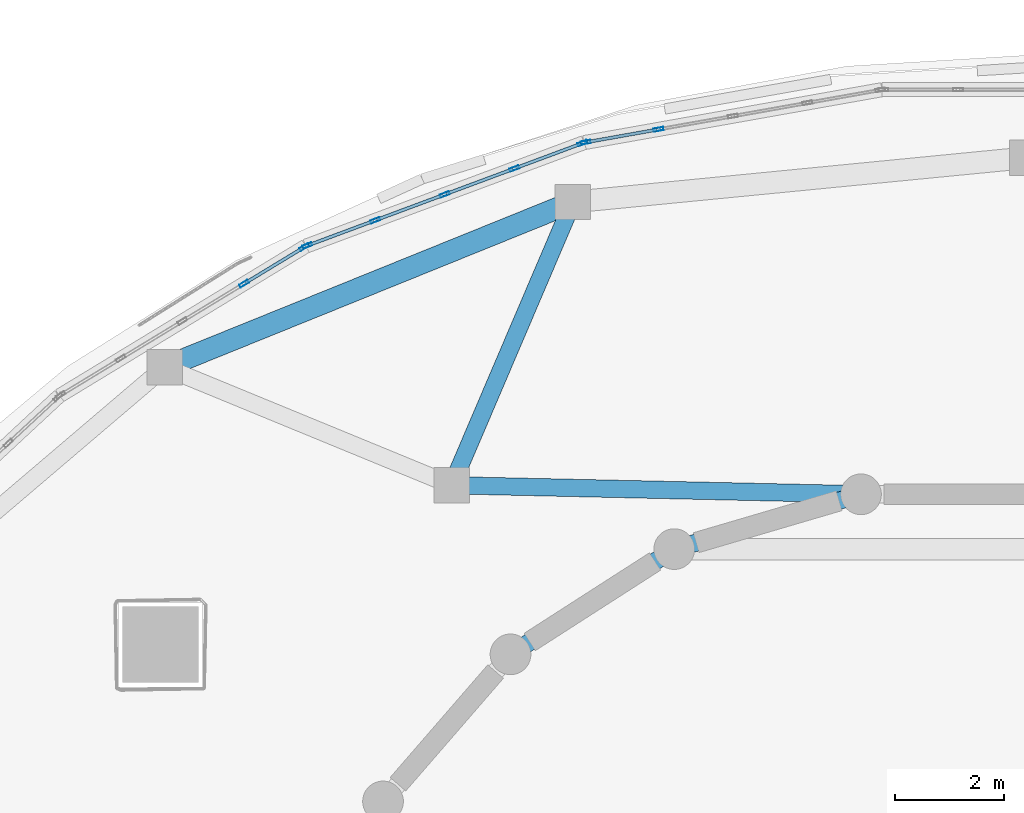
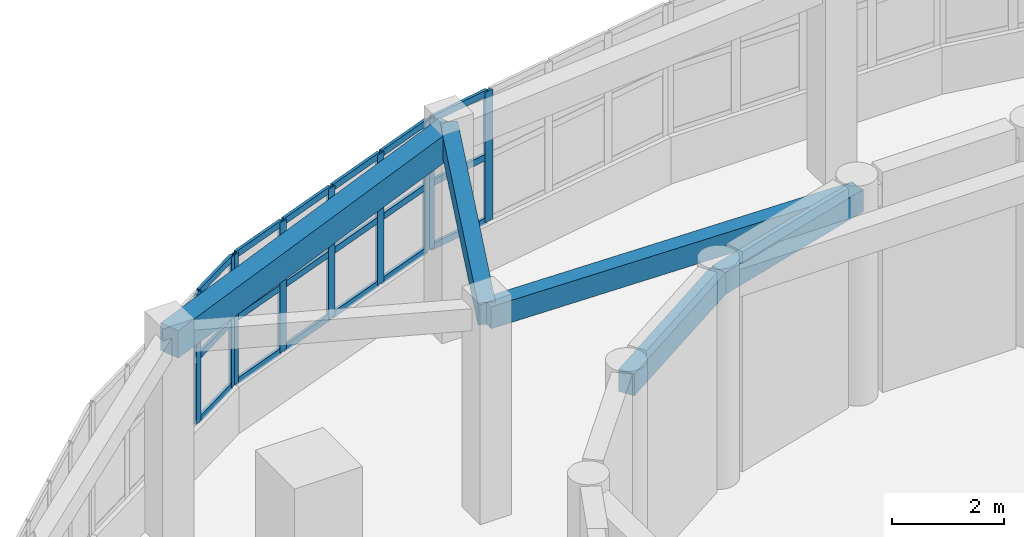
# One storey, part 58 of 105: 27 members, 5 beams, 3 elements without a shape of their own.
"""IFC4 building model written with IfcOpenShell, lengths in metres."""

from ifc_helpers import new_model, si_unit, direction, frame, origin, origin_2d, place, context, subcontext, project, spatial, rectangle, hollow_rectangle, extrude, material, layer, layer_set, material_profile, profile_set, type_object, element, aggregate, save


model = new_model("IFC4")

# Units and contexts
model_context = context("Model", 3, precision=1e-05, world=origin(), true_north=direction((0.0, 1.0)))
body_context = subcontext(model_context, "Body", "Model", "MODEL_VIEW")
ifc_project = project(units=[si_unit("LENGTHUNIT", "METRE"), si_unit("AREAUNIT", "SQUARE_METRE"), si_unit("VOLUMEUNIT", "CUBIC_METRE"), si_unit("PLANEANGLEUNIT", "RADIAN"), si_unit("MASSUNIT", "GRAM", prefix="KILO")], contexts=[model_context])

# Site, building, storey
site_placement = place(None, origin())
site = spatial("IfcSite", under=ifc_project, at=site_placement, CompositionType="ELEMENT")
building_placement = place(site_placement, origin())
building = spatial("IfcBuilding", under=site, at=building_placement, Name="Pelvatis Terrace Science Centre", CompositionType="ELEMENT")
storey_placement = place(building_placement, frame((0.0, 0.0, 10.199951171875)))
storey = spatial("IfcBuildingStorey", under=building, at=storey_placement, Name="L02", CompositionType="ELEMENT", Elevation=10.199951171875)

# Beams
ifc_material_1 = material(Name="Concrete C35/45", Category="concrete")
ifc_material_profile_1 = material_profile(ifc_material_1, rectangle(XDim=0.320068359375, YDim=0.47998046875, at=origin_2d()), Name="RC-BM 320x480")
ifc_profile_set_1 = profile_set([ifc_material_profile_1], Name="Concrete C35/45")
beam_type_1 = type_object("IfcBeamType", Name="BM-RC-320x480", PredefinedType="BEAM", material=ifc_profile_set_1)
beam_1_placement = place(storey_placement, frame((107.40673828125, 98.271728515625, 4.300048828125), z_axis=(-0.959499815423, -0.281709254734, 0.0), x_axis=(0.281709254734, -0.959499815423, 0.0)))
element("IfcBeam", 1, at=beam_1_placement, inside=storey, type_object=beam_type_1, Name="Beam BM-L02-2855", PredefinedType="BEAM", context=body_context, shape_type="SweptSolid", body=[
    extrude(rectangle(XDim=0.320068359375, YDim=0.47998046875, at=origin_2d()), origin(), (0.0, 0.0, 1.0), 3.586181640625),
])
beam_2_placement = place(storey_placement, frame((107.40673828125, 98.271728515625, 4.300048828125), z_axis=(-0.999756283601, 0.022076535063, 0.0), x_axis=(-0.022076535063, -0.999756283601, 0.0)))
element("IfcBeam", 2, at=beam_2_placement, inside=storey, type_object=beam_type_1, Name="Beam BM-L02-2856", PredefinedType="BEAM", context=body_context, shape_type="SweptSolid", body=[
    extrude(rectangle(XDim=0.320068359375, YDim=0.47998046875, at=origin_2d()), origin(), (0.0, 0.0, 1.0), 7.542236328125),
])
beam_3_placement = place(storey_placement, frame((103.9658203125, 97.261474609375, 4.300048828125), z_axis=(-0.841253667692, -0.540640607607, 0.0), x_axis=(0.540640607607, -0.841253667692, 0.0)))
element("IfcBeam", 3, at=beam_3_placement, inside=storey, type_object=beam_type_1, Name="Beam BM-L02-2857", PredefinedType="BEAM", context=body_context, shape_type="SweptSolid", body=[
    extrude(rectangle(XDim=0.320068359375, YDim=0.47998046875, at=origin_2d()), origin(), (0.0, 0.0, 1.0), 3.58642578125),
])
beam_4_placement = place(storey_placement, frame((102.095458984375, 103.65673828125, 4.300048828125), z_axis=(-0.392802627851, -0.919622800692, 0.0), x_axis=(0.919622800692, -0.392802627851, 0.0)))
element("IfcBeam", 4, at=beam_4_placement, inside=storey, type_object=beam_type_1, Name="Beam BM-L02-2904", PredefinedType="BEAM", context=body_context, shape_type="SweptSolid", body=[
    extrude(rectangle(XDim=0.320068359375, YDim=0.47998046875, at=origin_2d()), origin(), (0.0, 0.0, 1.0), 5.674560546875),
])
ifc_material_2 = material(Name="Concrete C35/45", Category="concrete")
ifc_material_profile_2 = material_profile(ifc_material_2, rectangle(XDim=0.39990234375, YDim=0.60009765625, at=origin_2d()), Name="RC-BM 400x600")
ifc_profile_set_2 = profile_set([ifc_material_profile_2], Name="Concrete C35/45")
beam_type_2 = type_object("IfcBeamType", Name="BM-RC-400x600", PredefinedType="BEAM", material=ifc_profile_set_2)
beam_5_placement = place(storey_placement, frame((102.095458984375, 103.65673828125, 4.239990234375), z_axis=(-0.926974722929, -0.375123796967, 0.0), x_axis=(0.375123796967, -0.926974722929, 0.0)))
element("IfcBeam", 5, at=beam_5_placement, inside=storey, type_object=beam_type_2, Name="Beam BM-L02-2903", PredefinedType="BEAM", context=body_context, shape_type="SweptSolid", body=[
    extrude(rectangle(XDim=0.39990234375, YDim=0.60009765625, at=origin_2d()), origin(), (0.0, 0.0, 1.0), 8.11181640625),
])

# Curtain wall, members
ifc_material_3 = material(Name="Bronze-anodised aluminium and laminated glass", Category="aluminium")
ifc_layer = layer(ifc_material_3, 0.179931640625)
ifc_layer_set = layer_set([ifc_layer], Name="Bronze-anodised aluminium and laminated glass")
curtain_wall_type = type_object("IfcCurtainWallType", Name="CW-RIBBON-A", PredefinedType="NOTDEFINED", material=ifc_layer_set)
curtain_wall_1_placement = place(storey_placement, origin())
curtain_wall_1 = element("IfcCurtainWall", 6, at=curtain_wall_1_placement, inside=storey, type_object=curtain_wall_type, Name="Ribbon curtain wall CW-162 (L02)", PredefinedType="NOTDEFINED")
ifc_material_4 = material(Name="Bronze-anodised aluminium 6063-T6", Category="aluminium")
ifc_material_profile_3 = material_profile(ifc_material_4, hollow_rectangle(XDim=0.06005859375, YDim=0.179931640625, WallThickness=0.00390625, at=origin_2d()), Name="ALU-MUL 60x180")
ifc_profile_set_3 = profile_set([ifc_material_profile_3], Name="Bronze-anodised aluminium 6063-T6")
member_type_1 = type_object("IfcMemberType", Name="CWM-60x180", PredefinedType="MULLION", material=ifc_profile_set_3)
member_1_placement = place(storey_placement, frame((103.675537109375, 104.9951171875, 1.02001953125), z_axis=(0.0, 0.0, 1.0), x_axis=(0.174983117252, -0.984571434014, 0.0)))
member_1 = element("IfcMember", 7, at=member_1_placement, type_object=member_type_1, Name="CW-162 mullion 4", PredefinedType="MULLION", context=body_context, shape_type="SweptSolid", body=[
    extrude(hollow_rectangle(XDim=0.06005859375, YDim=0.179931640625, WallThickness=0.00390625, at=origin_2d()), origin(), (0.0, 0.0, 1.0), 2.840087890625),
])
member_2_placement = place(storey_placement, frame((102.33251953125, 104.75634765625, 1.02001953125), z_axis=(0.0, 0.0, 1.0), x_axis=(0.174983117252, -0.984571434014, 0.0)))
member_2 = element("IfcMember", 8, at=member_2_placement, type_object=member_type_1, Name="CW-162 mullion 5", PredefinedType="MULLION", context=body_context, shape_type="SweptSolid", body=[
    extrude(hollow_rectangle(XDim=0.06005859375, YDim=0.179931640625, WallThickness=0.00390625, at=origin_2d()), origin(), (0.0, 0.0, 1.0), 2.840087890625),
])

curtain_wall_2_placement = place(storey_placement, origin())
curtain_wall_2 = element("IfcCurtainWall", 9, at=curtain_wall_2_placement, inside=storey, type_object=curtain_wall_type, Name="Ribbon curtain wall CW-163 (L02)", PredefinedType="NOTDEFINED")
member_3_placement = place(storey_placement, frame((102.27490234375, 104.74072265625, 1.02001953125), z_axis=(0.0, 0.0, 1.0), x_axis=(0.348869228095, -0.937171415318, 0.0)))
member_3 = element("IfcMember", 10, at=member_3_placement, type_object=member_type_1, Name="CW-163 mullion 1", PredefinedType="MULLION", context=body_context, shape_type="SweptSolid", body=[
    extrude(hollow_rectangle(XDim=0.06005859375, YDim=0.179931640625, WallThickness=0.00390625, at=origin_2d()), origin(), (0.0, 0.0, 1.0), 2.840087890625),
])
member_4_placement = place(storey_placement, frame((101.02099609375, 104.27392578125, 1.02001953125), z_axis=(0.0, 0.0, 1.0), x_axis=(0.348869228095, -0.937171415318, 0.0)))
member_4 = element("IfcMember", 11, at=member_4_placement, type_object=member_type_1, Name="CW-163 mullion 2", PredefinedType="MULLION", context=body_context, shape_type="SweptSolid", body=[
    extrude(hollow_rectangle(XDim=0.06005859375, YDim=0.179931640625, WallThickness=0.00390625, at=origin_2d()), origin(), (0.0, 0.0, 1.0), 2.840087890625),
])
member_5_placement = place(storey_placement, frame((99.739013671875, 103.796630859375, 1.02001953125), z_axis=(0.0, 0.0, 1.0), x_axis=(0.348869228095, -0.937171415318, 0.0)))
member_5 = element("IfcMember", 12, at=member_5_placement, type_object=member_type_1, Name="CW-163 mullion 3", PredefinedType="MULLION", context=body_context, shape_type="SweptSolid", body=[
    extrude(hollow_rectangle(XDim=0.06005859375, YDim=0.179931640625, WallThickness=0.00390625, at=origin_2d()), origin(), (0.0, 0.0, 1.0), 2.840087890625),
])
member_6_placement = place(storey_placement, frame((98.45703125, 103.319580078125, 1.02001953125), z_axis=(0.0, 0.0, 1.0), x_axis=(0.348869228095, -0.937171415318, 0.0)))
member_6 = element("IfcMember", 13, at=member_6_placement, type_object=member_type_1, Name="CW-163 mullion 4", PredefinedType="MULLION", context=body_context, shape_type="SweptSolid", body=[
    extrude(hollow_rectangle(XDim=0.06005859375, YDim=0.179931640625, WallThickness=0.00390625, at=origin_2d()), origin(), (0.0, 0.0, 1.0), 2.840087890625),
])
member_7_placement = place(storey_placement, frame((97.203125, 102.852783203125, 1.02001953125), z_axis=(0.0, 0.0, 1.0), x_axis=(0.348869228095, -0.937171415318, 0.0)))
member_7 = element("IfcMember", 14, at=member_7_placement, type_object=member_type_1, Name="CW-163 mullion 5", PredefinedType="MULLION", context=body_context, shape_type="SweptSolid", body=[
    extrude(hollow_rectangle(XDim=0.06005859375, YDim=0.179931640625, WallThickness=0.00390625, at=origin_2d()), origin(), (0.0, 0.0, 1.0), 2.840087890625),
])

curtain_wall_3_placement = place(storey_placement, origin())
curtain_wall_3 = element("IfcCurtainWall", 15, at=curtain_wall_3_placement, inside=storey, type_object=curtain_wall_type, Name="Ribbon curtain wall CW-164 (L02)", PredefinedType="NOTDEFINED")
member_8_placement = place(storey_placement, frame((97.1494140625, 102.82666015625, 1.02001953125), z_axis=(0.0, 0.0, 1.0), x_axis=(0.519190278561, -0.854658677279, 0.0)))
member_8 = element("IfcMember", 16, at=member_8_placement, type_object=member_type_1, Name="CW-164 mullion 1", PredefinedType="MULLION", context=body_context, shape_type="SweptSolid", body=[
    extrude(hollow_rectangle(XDim=0.06005859375, YDim=0.179931640625, WallThickness=0.00390625, at=origin_2d()), origin(), (0.0, 0.0, 1.0), 2.840087890625),
])
member_9_placement = place(storey_placement, frame((96.039794921875, 102.152587890625, 1.02001953125), z_axis=(0.0, 0.0, 1.0), x_axis=(0.519190278561, -0.854658677279, 0.0)))
member_9 = element("IfcMember", 17, at=member_9_placement, type_object=member_type_1, Name="CW-164 mullion 2", PredefinedType="MULLION", context=body_context, shape_type="SweptSolid", body=[
    extrude(hollow_rectangle(XDim=0.06005859375, YDim=0.179931640625, WallThickness=0.00390625, at=origin_2d()), origin(), (0.0, 0.0, 1.0), 2.840087890625),
])

# Member
ifc_material_5 = material(Name="Bronze-anodised aluminium 6063-T6", Category="aluminium")
ifc_material_profile_4 = material_profile(ifc_material_5, hollow_rectangle(XDim=0.06005859375, YDim=0.139892578125, WallThickness=0.00390625, at=origin_2d()), Name="ALU-TRN 60x140")
ifc_profile_set_4 = profile_set([ifc_material_profile_4], Name="Bronze-anodised aluminium 6063-T6")
member_type_2 = type_object("IfcMemberType", Name="CWT-60x140", PredefinedType="USERDEFINED", material=ifc_profile_set_4)
member_10_placement = place(storey_placement, frame((103.64599609375, 104.989990234375, 1.050048828125), z_axis=(-0.984560356852, -0.175045433287, 0.0), x_axis=(0.175045433287, -0.984560356852, 0.0)))
member_10 = element("IfcMember", 18, at=member_10_placement, type_object=member_type_2, Name="CW-162 transom 4.1", ObjectType="TRANSOM", PredefinedType="USERDEFINED", context=body_context, shape_type="SweptSolid", body=[
    extrude(hollow_rectangle(XDim=0.06005859375, YDim=0.139892578125, WallThickness=0.00390625, at=origin_2d()), origin(), (0.0, 0.0, 1.0), 1.303955078125),
])

member_11_placement = place(storey_placement, frame((103.64599609375, 104.989990234375, 2.43994140625), z_axis=(-0.984560356852, -0.175045433287, 0.0), x_axis=(0.175045433287, -0.984560356852, 0.0)))
member_11 = element("IfcMember", 19, at=member_11_placement, type_object=member_type_2, Name="CW-162 transom 4.2", ObjectType="TRANSOM", PredefinedType="USERDEFINED", context=body_context, shape_type="SweptSolid", body=[
    extrude(hollow_rectangle(XDim=0.06005859375, YDim=0.139892578125, WallThickness=0.00390625, at=origin_2d()), origin(), (0.0, 0.0, 1.0), 1.303955078125),
])

member_12_placement = place(storey_placement, frame((103.64599609375, 104.989990234375, 3.830078125), z_axis=(-0.984560356852, -0.175045433287, 0.0), x_axis=(0.175045433287, -0.984560356852, 0.0)))
member_12 = element("IfcMember", 20, at=member_12_placement, type_object=member_type_2, Name="CW-162 transom 4.3", ObjectType="TRANSOM", PredefinedType="USERDEFINED", context=body_context, shape_type="SweptSolid", body=[
    extrude(hollow_rectangle(XDim=0.06005859375, YDim=0.139892578125, WallThickness=0.00390625, at=origin_2d()), origin(), (0.0, 0.0, 1.0), 1.303955078125),
])

aggregate(curtain_wall_1, [member_1, member_2, member_10, member_11, member_12])

member_13_placement = place(storey_placement, frame((102.24658203125, 104.730224609375, 1.050048828125), z_axis=(-0.937166653275, -0.348882020159, 0.0), x_axis=(0.348882020159, -0.937166653275, 0.0)))
member_13 = element("IfcMember", 21, at=member_13_placement, type_object=member_type_2, Name="CW-163 transom 1.1", ObjectType="TRANSOM", PredefinedType="USERDEFINED", context=body_context, shape_type="SweptSolid", body=[
    extrude(hollow_rectangle(XDim=0.06005859375, YDim=0.139892578125, WallThickness=0.00390625, at=origin_2d()), origin(), (0.0, 0.0, 1.0), 1.27783203125),
])

member_14_placement = place(storey_placement, frame((102.24658203125, 104.730224609375, 2.43994140625), z_axis=(-0.937166653275, -0.348882020159, 0.0), x_axis=(0.348882020159, -0.937166653275, 0.0)))
member_14 = element("IfcMember", 22, at=member_14_placement, type_object=member_type_2, Name="CW-163 transom 1.2", ObjectType="TRANSOM", PredefinedType="USERDEFINED", context=body_context, shape_type="SweptSolid", body=[
    extrude(hollow_rectangle(XDim=0.06005859375, YDim=0.139892578125, WallThickness=0.00390625, at=origin_2d()), origin(), (0.0, 0.0, 1.0), 1.27783203125),
])

member_15_placement = place(storey_placement, frame((102.24658203125, 104.730224609375, 3.830078125), z_axis=(-0.937166653275, -0.348882020159, 0.0), x_axis=(0.348882020159, -0.937166653275, 0.0)))
member_15 = element("IfcMember", 23, at=member_15_placement, type_object=member_type_2, Name="CW-163 transom 1.3", ObjectType="TRANSOM", PredefinedType="USERDEFINED", context=body_context, shape_type="SweptSolid", body=[
    extrude(hollow_rectangle(XDim=0.06005859375, YDim=0.139892578125, WallThickness=0.00390625, at=origin_2d()), origin(), (0.0, 0.0, 1.0), 1.27783203125),
])

member_16_placement = place(storey_placement, frame((100.992919921875, 104.263427734375, 1.050048828125), z_axis=(-0.937177862981, -0.348851907172, 0.0), x_axis=(0.348851907172, -0.937177862981, 0.0)))
member_16 = element("IfcMember", 24, at=member_16_placement, type_object=member_type_2, Name="CW-163 transom 2.1", ObjectType="TRANSOM", PredefinedType="USERDEFINED", context=body_context, shape_type="SweptSolid", body=[
    extrude(hollow_rectangle(XDim=0.06005859375, YDim=0.139892578125, WallThickness=0.00390625, at=origin_2d()), origin(), (0.0, 0.0, 1.0), 1.30810546875),
])

member_17_placement = place(storey_placement, frame((100.992919921875, 104.263427734375, 2.43994140625), z_axis=(-0.937177862981, -0.348851907172, 0.0), x_axis=(0.348851907172, -0.937177862981, 0.0)))
member_17 = element("IfcMember", 25, at=member_17_placement, type_object=member_type_2, Name="CW-163 transom 2.2", ObjectType="TRANSOM", PredefinedType="USERDEFINED", context=body_context, shape_type="SweptSolid", body=[
    extrude(hollow_rectangle(XDim=0.06005859375, YDim=0.139892578125, WallThickness=0.00390625, at=origin_2d()), origin(), (0.0, 0.0, 1.0), 1.30810546875),
])

member_18_placement = place(storey_placement, frame((100.992919921875, 104.263427734375, 3.830078125), z_axis=(-0.937177862981, -0.348851907172, 0.0), x_axis=(0.348851907172, -0.937177862981, 0.0)))
member_18 = element("IfcMember", 26, at=member_18_placement, type_object=member_type_2, Name="CW-163 transom 2.3", ObjectType="TRANSOM", PredefinedType="USERDEFINED", context=body_context, shape_type="SweptSolid", body=[
    extrude(hollow_rectangle(XDim=0.06005859375, YDim=0.139892578125, WallThickness=0.00390625, at=origin_2d()), origin(), (0.0, 0.0, 1.0), 1.30810546875),
])

member_19_placement = place(storey_placement, frame((99.7109375, 103.786376953125, 1.050048828125), z_axis=(-0.937177862981, -0.348851907172, 0.0), x_axis=(0.348851907172, -0.937177862981, 0.0)))
member_19 = element("IfcMember", 27, at=member_19_placement, type_object=member_type_2, Name="CW-163 transom 3.1", ObjectType="TRANSOM", PredefinedType="USERDEFINED", context=body_context, shape_type="SweptSolid", body=[
    extrude(hollow_rectangle(XDim=0.06005859375, YDim=0.139892578125, WallThickness=0.00390625, at=origin_2d()), origin(), (0.0, 0.0, 1.0), 1.30810546875),
])

member_20_placement = place(storey_placement, frame((99.7109375, 103.786376953125, 2.43994140625), z_axis=(-0.937177862981, -0.348851907172, 0.0), x_axis=(0.348851907172, -0.937177862981, 0.0)))
member_20 = element("IfcMember", 28, at=member_20_placement, type_object=member_type_2, Name="CW-163 transom 3.2", ObjectType="TRANSOM", PredefinedType="USERDEFINED", context=body_context, shape_type="SweptSolid", body=[
    extrude(hollow_rectangle(XDim=0.06005859375, YDim=0.139892578125, WallThickness=0.00390625, at=origin_2d()), origin(), (0.0, 0.0, 1.0), 1.30810546875),
])

member_21_placement = place(storey_placement, frame((99.7109375, 103.786376953125, 3.830078125), z_axis=(-0.937177862981, -0.348851907172, 0.0), x_axis=(0.348851907172, -0.937177862981, 0.0)))
member_21 = element("IfcMember", 29, at=member_21_placement, type_object=member_type_2, Name="CW-163 transom 3.3", ObjectType="TRANSOM", PredefinedType="USERDEFINED", context=body_context, shape_type="SweptSolid", body=[
    extrude(hollow_rectangle(XDim=0.06005859375, YDim=0.139892578125, WallThickness=0.00390625, at=origin_2d()), origin(), (0.0, 0.0, 1.0), 1.30810546875),
])

member_22_placement = place(storey_placement, frame((98.428955078125, 103.30908203125, 1.050048828125), z_axis=(-0.937189903028, -0.34881956032, 0.0), x_axis=(0.34881956032, -0.937189903028, 0.0)))
member_22 = element("IfcMember", 30, at=member_22_placement, type_object=member_type_2, Name="CW-163 transom 4.1", ObjectType="TRANSOM", PredefinedType="USERDEFINED", context=body_context, shape_type="SweptSolid", body=[
    extrude(hollow_rectangle(XDim=0.06005859375, YDim=0.139892578125, WallThickness=0.00390625, at=origin_2d()), origin(), (0.0, 0.0, 1.0), 1.278076171875),
])

member_23_placement = place(storey_placement, frame((98.428955078125, 103.30908203125, 2.43994140625), z_axis=(-0.937189903028, -0.34881956032, 0.0), x_axis=(0.34881956032, -0.937189903028, 0.0)))
member_23 = element("IfcMember", 31, at=member_23_placement, type_object=member_type_2, Name="CW-163 transom 4.2", ObjectType="TRANSOM", PredefinedType="USERDEFINED", context=body_context, shape_type="SweptSolid", body=[
    extrude(hollow_rectangle(XDim=0.06005859375, YDim=0.139892578125, WallThickness=0.00390625, at=origin_2d()), origin(), (0.0, 0.0, 1.0), 1.278076171875),
])

member_24_placement = place(storey_placement, frame((98.428955078125, 103.30908203125, 3.830078125), z_axis=(-0.937189903028, -0.34881956032, 0.0), x_axis=(0.34881956032, -0.937189903028, 0.0)))
member_24 = element("IfcMember", 32, at=member_24_placement, type_object=member_type_2, Name="CW-163 transom 4.3", ObjectType="TRANSOM", PredefinedType="USERDEFINED", context=body_context, shape_type="SweptSolid", body=[
    extrude(hollow_rectangle(XDim=0.06005859375, YDim=0.139892578125, WallThickness=0.00390625, at=origin_2d()), origin(), (0.0, 0.0, 1.0), 1.278076171875),
])

aggregate(curtain_wall_2, [member_3, member_4, member_5, member_6, member_7, member_13, member_14, member_15, member_16, member_17, member_18, member_19, member_20, member_21, member_22, member_23, member_24])

member_25_placement = place(storey_placement, frame((97.123779296875, 102.81103515625, 1.050048828125), z_axis=(-0.854696914292, -0.519127329949, 0.0), x_axis=(0.519127329949, -0.854696914292, 0.0)))
member_25 = element("IfcMember", 33, at=member_25_placement, type_object=member_type_2, Name="CW-164 transom 1.1", ObjectType="TRANSOM", PredefinedType="USERDEFINED", context=body_context, shape_type="SweptSolid", body=[
    extrude(hollow_rectangle(XDim=0.06005859375, YDim=0.139892578125, WallThickness=0.00390625, at=origin_2d()), origin(), (0.0, 0.0, 1.0), 1.23828125),
])

member_26_placement = place(storey_placement, frame((97.123779296875, 102.81103515625, 2.43994140625), z_axis=(-0.854696914292, -0.519127329949, 0.0), x_axis=(0.519127329949, -0.854696914292, 0.0)))
member_26 = element("IfcMember", 34, at=member_26_placement, type_object=member_type_2, Name="CW-164 transom 1.2", ObjectType="TRANSOM", PredefinedType="USERDEFINED", context=body_context, shape_type="SweptSolid", body=[
    extrude(hollow_rectangle(XDim=0.06005859375, YDim=0.139892578125, WallThickness=0.00390625, at=origin_2d()), origin(), (0.0, 0.0, 1.0), 1.23828125),
])

member_27_placement = place(storey_placement, frame((97.123779296875, 102.81103515625, 3.830078125), z_axis=(-0.854696914292, -0.519127329949, 0.0), x_axis=(0.519127329949, -0.854696914292, 0.0)))
member_27 = element("IfcMember", 35, at=member_27_placement, type_object=member_type_2, Name="CW-164 transom 1.3", ObjectType="TRANSOM", PredefinedType="USERDEFINED", context=body_context, shape_type="SweptSolid", body=[
    extrude(hollow_rectangle(XDim=0.06005859375, YDim=0.139892578125, WallThickness=0.00390625, at=origin_2d()), origin(), (0.0, 0.0, 1.0), 1.23828125),
])

aggregate(curtain_wall_3, [member_8, member_9, member_25, member_26, member_27])

save(model, "model.ifc")
